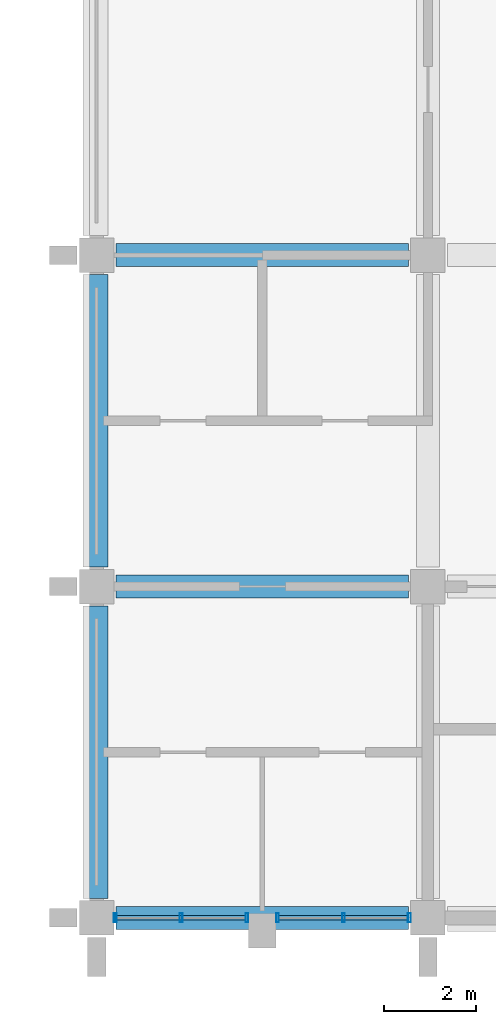
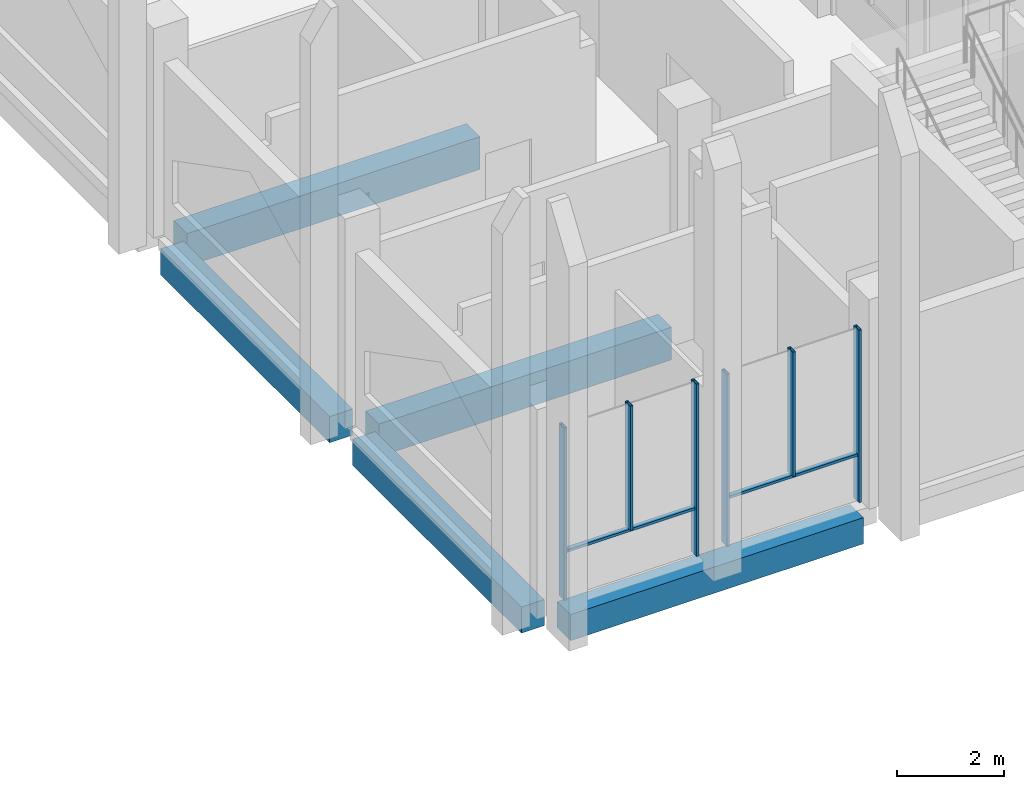
# One storey, part 15 of 40: 8 members, 5 beams, 2 elements without a shape of their own.
"""IFC4 building model written with IfcOpenShell, lengths in metres."""

import ifcopenshell
import ifcopenshell.guid

model = None  # the IFC model being written
_history = None  # IfcOwnerHistory: only IFC2X3 demands one
_inside = {}  # id of a spatial element -> (the spatial element, [elements in it])
_under = {}  # id of a project, library or spatial element -> (it, [spatial elements below it])
_declared = {}  # id of a project -> (the project, [libraries it declares])
_typed = {}  # id of a type object -> (the type object, [elements of that type])
_made_of = {}  # id of a material, layer set ... -> (it, [elements and type objects made of it])


def new_model(schema):
    """Start an empty IFC model of exactly this schema.

    Asked for "IFC4X3", IfcOpenShell would pick the latest addendum, in which some entities
    have other attributes; the version numbers below select the first issue.
    IFC2X3 requires an IfcOwnerHistory on every rooted entity: one is made here for all.
    """
    global model, _history
    if schema == "IFC4X3":
        model = ifcopenshell.file(schema_version=(4, 3, 0, 0))
    else:
        model = ifcopenshell.file(schema=schema)
    _inside.clear()
    _under.clear()
    _declared.clear()
    _typed.clear()
    _made_of.clear()
    _history = None
    if model.schema == "IFC2X3":
        org = make("IfcOrganization", Name="unknown")
        user = make(
            "IfcPersonAndOrganization",
            ThePerson=make("IfcPerson", FamilyName="unknown"),
            TheOrganization=org,
        )
        app = make(
            "IfcApplication",
            ApplicationDeveloper=org,
            Version="unknown",
            ApplicationFullName="unknown",
            ApplicationIdentifier="unknown",
        )
        _history = make(
            "IfcOwnerHistory",
            OwningUser=user,
            OwningApplication=app,
            ChangeAction="ADDED",
            CreationDate=0,
        )
    return model


def make(cls, **values):
    """One entity of the class cls with the attributes given. An attribute that is None is left unset."""
    return model.create_entity(
        cls, **{name: value for name, value in values.items() if value is not None}
    )


def rooted(cls, **values):
    """An entity with a GlobalId (a new one), such as an element, a storey or a relation."""
    return make(cls, GlobalId=ifcopenshell.guid.new(), OwnerHistory=_history, **values)


def si_unit(unit_type, name, prefix=None):
    """IfcSIUnit, for example si_unit("LENGTHUNIT", "METRE", prefix="MILLI")."""
    return make("IfcSIUnit", UnitType=unit_type, Prefix=prefix, Name=name)


def assignment(units):
    """IfcUnitAssignment: the units of a project."""
    return None if units is None else make("IfcUnitAssignment", Units=units)


def point(xyz):
    """IfcCartesianPoint."""
    return None if xyz is None else make("IfcCartesianPoint", Coordinates=xyz)


def direction(xyz):
    """IfcDirection."""
    return None if xyz is None else make("IfcDirection", DirectionRatios=xyz)


def frame(location, z_axis=None, x_axis=None):
    """IfcAxis2Placement3D, a coordinate frame: its origin and axes. An axis left out is left unset."""
    return make(
        "IfcAxis2Placement3D",
        Location=point(location),
        Axis=direction(z_axis),
        RefDirection=direction(x_axis),
    )


def frame_2d(location, x_axis=None):
    """IfcAxis2Placement2D, a coordinate frame in the plane: its origin and x axis."""
    return make(
        "IfcAxis2Placement2D", Location=point(location), RefDirection=direction(x_axis)
    )


def origin():
    """The frame at (0, 0, 0) with its axes left unset."""
    return frame((0.0, 0.0, 0.0))


def origin_2d():
    """The frame at (0, 0) in the plane with its x axis left unset."""
    return frame_2d((0.0, 0.0))


def place(relative_to, where):
    """IfcLocalPlacement: puts the frame where relative to a parent placement (None: the world)."""
    return make(
        "IfcLocalPlacement", PlacementRelTo=relative_to, RelativePlacement=where
    )


def context(
    kind, dimensions, precision=None, world=None, true_north=None, identifier=None
):
    """IfcGeometricRepresentationContext, for example the 3D "Model" context."""
    return make(
        "IfcGeometricRepresentationContext",
        ContextIdentifier=identifier,
        ContextType=kind,
        CoordinateSpaceDimension=dimensions,
        Precision=precision,
        WorldCoordinateSystem=world,
        TrueNorth=true_north,
    )


def subcontext(parent, identifier, kind, view, scale=None):
    """IfcGeometricRepresentationSubContext, for example "Body" below "Model"."""
    return make(
        "IfcGeometricRepresentationSubContext",
        ContextIdentifier=identifier,
        ContextType=kind,
        ParentContext=parent,
        TargetScale=scale,
        TargetView=view,
    )


def project(units=None, contexts=None):
    """IfcProject with its units and contexts."""
    return rooted(
        "IfcProject",
        Name="project",
        RepresentationContexts=contexts,
        UnitsInContext=assignment(units),
    )


def spatial(cls, under=None, at=None, **own):
    """A site, building, storey or space (cls), placed at a placement, below another one or the project."""
    s = rooted(cls, ObjectPlacement=at, **own)
    if under is not None:
        _under.setdefault(under.id(), (under, []))[1].append(s)
    return s


def profile(cls, at=None, kind="AREA", **sizes):
    """A parametric profile (cls). Its sizes go by their IFC names, for example OverallWidth=200.0."""
    return make(cls, ProfileType=kind, Position=at, **sizes)


def rectangle(**sizes):
    """IfcRectangleProfileDef."""
    return profile("IfcRectangleProfileDef", **sizes)


def hollow_rectangle(**sizes):
    """IfcRectangleHollowProfileDef."""
    return profile("IfcRectangleHollowProfileDef", **sizes)


def extrude(swept, where, along, depth):
    """IfcExtrudedAreaSolid: the profile swept, set in the frame where, extruded along a direction by depth."""
    return make(
        "IfcExtrudedAreaSolid",
        SweptArea=swept,
        Position=where,
        ExtrudedDirection=direction(along),
        Depth=depth,
    )


def shape(context_of_items, identifier, shape_type, items):
    """IfcShapeRepresentation: the items that make up one representation, for example the "Body"."""
    return make(
        "IfcShapeRepresentation",
        ContextOfItems=context_of_items,
        RepresentationIdentifier=identifier,
        RepresentationType=shape_type,
        Items=items,
    )


def material(Name=None, Category=None):
    """IfcMaterial."""
    return make("IfcMaterial", Name=Name, Category=Category)


def material_profile(
    of_material, cross_section, Name=None, Category=None, Priority=None
):
    """IfcMaterialProfile: a cross section and its material."""
    return make(
        "IfcMaterialProfile",
        Name=Name,
        Material=of_material,
        Profile=cross_section,
        Priority=Priority,
        Category=Category,
    )


def profile_set(profiles, Name=None, composite=None):
    """IfcMaterialProfileSet."""
    return make(
        "IfcMaterialProfileSet",
        Name=Name,
        MaterialProfiles=profiles,
        CompositeProfile=composite,
    )


def made_of(thing, what):
    """Note that an element or type object is made of a material, layer set ...; save() writes the relation."""
    if what is not None:
        _made_of.setdefault(what.id(), (what, []))[1].append(thing)
    return thing


def type_object(cls, material=None, **own):
    """A type object (cls), such as IfcWallType, which elements share."""
    return made_of(rooted(cls, **own), material)


def element(
    cls,
    number,
    at=None,
    inside=None,
    cuts=None,
    type_object=None,
    material=None,
    context=None,
    identifier="Body",
    shape_type=None,
    held_by="IfcProductDefinitionShape",
    body=None,
    shapes=None,
    **own,
):
    """One element of the class cls, such as IfcWall. Its Tag is "e" and its number.

    at: its placement. inside: the storey or other place that contains it. cuts: it is an
    opening in that element (IfcRelVoidsElement). A single representation is given by context,
    identifier, shape_type and body (its items); several are given by shapes. held_by: the class
    of the entity that holds the representations. save() writes the other relations.
    """
    e = rooted(cls, Tag="e%d" % number, ObjectPlacement=at, **own)
    if body is not None:
        shapes = [shape(context, identifier, shape_type, body)]
    if shapes is not None:
        e.Representation = make(held_by, Representations=shapes)
    if inside is not None:
        _inside.setdefault(inside.id(), (inside, []))[1].append(e)
    if cuts is not None:
        rooted(
            "IfcRelVoidsElement", RelatingBuildingElement=cuts, RelatedOpeningElement=e
        )
    if type_object is not None:
        _typed.setdefault(type_object.id(), (type_object, []))[1].append(e)
    return made_of(e, material)


def aggregate(whole, parts):
    """IfcRelAggregates: a whole, such as a stair, and the parts it consists of."""
    return rooted("IfcRelAggregates", RelatingObject=whole, RelatedObjects=parts)


def save(model, path):
    """Write the relations noted so far, then the file.

    IfcRelAggregates (storeys below a building ...), IfcRelContainedInSpatialStructure (elements
    in a storey), IfcRelDefinesByType, IfcRelAssociatesMaterial and IfcRelDeclares: one each for
    every whole, place, type object, material and project.
    """
    for whole, parts in _under.values():
        aggregate(whole, parts)
    for where, things in _inside.values():
        rooted(
            "IfcRelContainedInSpatialStructure",
            RelatedElements=things,
            RelatingStructure=where,
        )
    for kind, things in _typed.values():
        rooted("IfcRelDefinesByType", RelatedObjects=things, RelatingType=kind)
    for what, things in _made_of.values():
        rooted("IfcRelAssociatesMaterial", RelatedObjects=things, RelatingMaterial=what)
    for by, libraries in _declared.values():
        rooted("IfcRelDeclares", RelatingContext=by, RelatedDefinitions=libraries)
    model.write(path)


model = new_model("IFC4")

# Units and contexts
model_context = context("Model", 3, precision=1e-05, world=origin(), true_north=direction((0.0, 1.0)))
body_context = subcontext(model_context, "Body", "Model", "MODEL_VIEW")
ifc_project = project(units=[si_unit("LENGTHUNIT", "METRE"), si_unit("AREAUNIT", "SQUARE_METRE"), si_unit("VOLUMEUNIT", "CUBIC_METRE"), si_unit("PLANEANGLEUNIT", "RADIAN"), si_unit("MASSUNIT", "GRAM", prefix="KILO")], contexts=[model_context])

# Site, building, storey
site_placement = place(None, origin())
site = spatial("IfcSite", under=ifc_project, at=site_placement, CompositionType="ELEMENT")
building_placement = place(site_placement, origin())
building = spatial("IfcBuilding", under=site, at=building_placement, Name="Silangan Lancet Faculty of Sciences", CompositionType="ELEMENT")
storey_placement = place(building_placement, frame((0.0, 0.0, 21.60009765625)))
storey = spatial("IfcBuildingStorey", under=building, at=storey_placement, Name="L04", CompositionType="ELEMENT", Elevation=21.60009765625)

# Beams
ifc_material_1 = material(Name="Concrete C40/50", Category="concrete")
ifc_material_profile_1 = material_profile(ifc_material_1, rectangle(XDim=0.5, YDim=0.60009765625, at=origin_2d()), Name="RC 500x600")
ifc_profile_set_1 = profile_set([ifc_material_profile_1], Name="Concrete C40/50")
beam_type_1 = type_object("IfcBeamType", Name="BEAM RC 500x600", PredefinedType="BEAM", material=ifc_profile_set_1)
for number, where, z_axis, x_axis, name in (
    (1, (72.425048828125, 0.0, -0.550048828125), (1.0, 0.0, 0.0), (0.0, 1.0, 0.0), "BM-L04-11A-12A"),
    (2, (72.0, 0.425048828125, -0.550048828125), (0.0, 1.0, 0.0), (-1.0, 0.0, 0.0), "BM-L04-11A-11B"),
):
    element("IfcBeam", number, at=place(storey_placement, frame(where, z_axis=z_axis, x_axis=x_axis)), inside=storey, type_object=beam_type_1, Name=name, PredefinedType="BEAM", context=body_context, shape_type="SweptSolid", body=[
        extrude(rectangle(XDim=0.5, YDim=0.60009765625, at=origin_2d()), origin(), (0.0, 0.0, 1.0), 6.349853515625),
    ])
beam_placement = place(storey_placement, frame((72.0, 7.625, -0.550048828125), z_axis=(0.0, 1.0, 0.0), x_axis=(-1.0, 0.0, 0.0)))
element("IfcBeam", 3, at=beam_placement, inside=storey, type_object=beam_type_1, Name="BM-L04-11B-11C", PredefinedType="BEAM", context=body_context, shape_type="SweptSolid", body=[
    extrude(rectangle(XDim=0.5, YDim=0.60009765625, at=origin_2d()), origin(), (0.0, 0.0, 1.0), 6.35009765625),
])
ifc_material_2 = material(Name="Concrete C40/50", Category="concrete")
ifc_material_profile_2 = material_profile(ifc_material_2, rectangle(XDim=0.5, YDim=0.75, at=origin_2d()), Name="RC 500x750")
ifc_profile_set_2 = profile_set([ifc_material_profile_2], Name="Concrete C40/50")
beam_type_2 = type_object("IfcBeamType", Name="BEAM RC 500x750", PredefinedType="BEAM", material=ifc_profile_set_2)
for number, where, z_axis, x_axis, name in (
    (4, (72.425048828125, 7.199951171875, -0.625), (1.0, 0.0, 0.0), (0.0, 1.0, 0.0), "BM-L04-11B-12B"),
    (5, (72.425048828125, 14.39990234375, -0.625), (1.0, 0.0, 0.0), (0.0, 1.0, 0.0), "BM-L04-11C-12C"),
):
    element("IfcBeam", number, at=place(storey_placement, frame(where, z_axis=z_axis, x_axis=x_axis)), inside=storey, type_object=beam_type_2, Name=name, PredefinedType="BEAM", context=body_context, shape_type="SweptSolid", body=[
        extrude(rectangle(XDim=0.5, YDim=0.75, at=origin_2d()), origin(), (0.0, 0.0, 1.0), 6.349853515625),
    ])

# Curtain wall, members
ifc_material_3 = material(Name="Aluminium framed curtain wall with insulated glass", Category="aluminium")
curtain_wall_type = type_object("IfcCurtainWallType", Name="CW1 Commons and east block glazing", PredefinedType="NOTDEFINED", material=ifc_material_3)
curtain_wall_1_placement = place(storey_placement, origin())
curtain_wall_1 = element("IfcCurtainWall", 6, at=curtain_wall_1_placement, inside=storey, type_object=curtain_wall_type, Name="CW1 East block south L04 bay 1", PredefinedType="NOTDEFINED")
ifc_material_4 = material(Name="Aluminium 6063-T6 extrusion", Category="aluminium")
ifc_material_profile_3 = material_profile(ifc_material_4, hollow_rectangle(XDim=0.06005859375, YDim=0.199951171875, WallThickness=0.00390625, at=origin_2d()), Name="AL BOX 60x200x4")
ifc_profile_set_3 = profile_set([ifc_material_profile_3], Name="Aluminium 6063-T6 extrusion")
member_type_1 = type_object("IfcMemberType", Name="CM1 Mullion 60x200", PredefinedType="MULLION", material=ifc_profile_set_3)
member_1_placement = place(storey_placement, frame((72.405029296875, 0.0, 0.0), z_axis=(0.0, 0.0, 1.0), x_axis=(1.0, 0.0, 0.0)))
member_1 = element("IfcMember", 7, at=member_1_placement, type_object=member_type_1, Name="CW1 East block south L04 bay 1 mullion 1", PredefinedType="MULLION", context=body_context, shape_type="SweptSolid", body=[
    extrude(hollow_rectangle(XDim=0.06005859375, YDim=0.199951171875, WallThickness=0.00390625, at=origin_2d()), origin(), (0.0, 0.0, 1.0), 3.949951171875),
])
member_2_placement = place(storey_placement, frame((75.27001953125, 0.0, 0.0), z_axis=(0.0, 0.0, 1.0), x_axis=(1.0, 0.0, 0.0)))
member_2 = element("IfcMember", 8, at=member_2_placement, type_object=member_type_1, Name="CW1 East block south L04 bay 1 mullion 2", PredefinedType="MULLION", context=body_context, shape_type="SweptSolid", body=[
    extrude(hollow_rectangle(XDim=0.06005859375, YDim=0.199951171875, WallThickness=0.00390625, at=origin_2d()), origin(), (0.0, 0.0, 1.0), 3.949951171875),
])
member_3_placement = place(storey_placement, frame((73.837646484375, 0.0, 1.099853515625), z_axis=(0.0, 0.0, 1.0), x_axis=(1.0, 0.0, 0.0)))
member_3 = element("IfcMember", 9, at=member_3_placement, type_object=member_type_1, Name="CW1 East block south L04 bay 1 mullion 3", PredefinedType="MULLION", context=body_context, shape_type="SweptSolid", body=[
    extrude(hollow_rectangle(XDim=0.06005859375, YDim=0.199951171875, WallThickness=0.00390625, at=origin_2d()), origin(), (0.0, 0.0, 1.0), 2.85009765625),
])

curtain_wall_2_placement = place(storey_placement, origin())
curtain_wall_2 = element("IfcCurtainWall", 10, at=curtain_wall_2_placement, inside=storey, type_object=curtain_wall_type, Name="CW1 East block south L04 bay 2", PredefinedType="NOTDEFINED")
member_4_placement = place(storey_placement, frame((75.93017578125, 0.0, 0.0), z_axis=(0.0, 0.0, 1.0), x_axis=(1.0, 0.0, 0.0)))
member_4 = element("IfcMember", 11, at=member_4_placement, type_object=member_type_1, Name="CW1 East block south L04 bay 2 mullion 1", PredefinedType="MULLION", context=body_context, shape_type="SweptSolid", body=[
    extrude(hollow_rectangle(XDim=0.06005859375, YDim=0.199951171875, WallThickness=0.00390625, at=origin_2d()), origin(), (0.0, 0.0, 1.0), 3.949951171875),
])
member_5_placement = place(storey_placement, frame((78.794921875, 0.0, 0.0), z_axis=(0.0, 0.0, 1.0), x_axis=(1.0, 0.0, 0.0)))
member_5 = element("IfcMember", 12, at=member_5_placement, type_object=member_type_1, Name="CW1 East block south L04 bay 2 mullion 2", PredefinedType="MULLION", context=body_context, shape_type="SweptSolid", body=[
    extrude(hollow_rectangle(XDim=0.06005859375, YDim=0.199951171875, WallThickness=0.00390625, at=origin_2d()), origin(), (0.0, 0.0, 1.0), 3.949951171875),
])
member_6_placement = place(storey_placement, frame((77.362548828125, 0.0, 1.099853515625), z_axis=(0.0, 0.0, 1.0), x_axis=(1.0, 0.0, 0.0)))
member_6 = element("IfcMember", 13, at=member_6_placement, type_object=member_type_1, Name="CW1 East block south L04 bay 2 mullion 3", PredefinedType="MULLION", context=body_context, shape_type="SweptSolid", body=[
    extrude(hollow_rectangle(XDim=0.06005859375, YDim=0.199951171875, WallThickness=0.00390625, at=origin_2d()), origin(), (0.0, 0.0, 1.0), 2.85009765625),
])

# Member
ifc_material_5 = material(Name="Aluminium 6063-T6 extrusion", Category="aluminium")
ifc_material_profile_4 = material_profile(ifc_material_5, hollow_rectangle(XDim=0.10009765625, YDim=0.06005859375, WallThickness=0.0029296875, at=origin_2d()), Name="AL BOX 100x60x3")
ifc_profile_set_4 = profile_set([ifc_material_profile_4], Name="Aluminium 6063-T6 extrusion")
member_type_2 = type_object("IfcMemberType", Name="CT1 Transom 100x60", PredefinedType="USERDEFINED", material=ifc_profile_set_4)
member_7_placement = place(storey_placement, frame((72.43505859375, 0.0, 1.06982421875), z_axis=(1.0, 0.0, 0.0), x_axis=(0.0, 1.0, 0.0)))
member_7 = element("IfcMember", 14, at=member_7_placement, type_object=member_type_2, Name="CW1 East block south L04 bay 1 transom 1", ObjectType="TRANSOM", PredefinedType="USERDEFINED", context=body_context, shape_type="SweptSolid", body=[
    extrude(hollow_rectangle(XDim=0.10009765625, YDim=0.06005859375, WallThickness=0.0029296875, at=origin_2d()), origin(), (0.0, 0.0, 1.0), 2.804931640625),
])

aggregate(curtain_wall_1, [member_1, member_2, member_3, member_7])

member_8_placement = place(storey_placement, frame((75.960205078125, 0.0, 1.06982421875), z_axis=(1.0, 0.0, 0.0), x_axis=(0.0, 1.0, 0.0)))
member_8 = element("IfcMember", 15, at=member_8_placement, type_object=member_type_2, Name="CW1 East block south L04 bay 2 transom 1", ObjectType="TRANSOM", PredefinedType="USERDEFINED", context=body_context, shape_type="SweptSolid", body=[
    extrude(hollow_rectangle(XDim=0.10009765625, YDim=0.06005859375, WallThickness=0.0029296875, at=origin_2d()), origin(), (0.0, 0.0, 1.0), 2.8046875),
])

aggregate(curtain_wall_2, [member_4, member_5, member_6, member_8])

save(model, "model.ifc")
